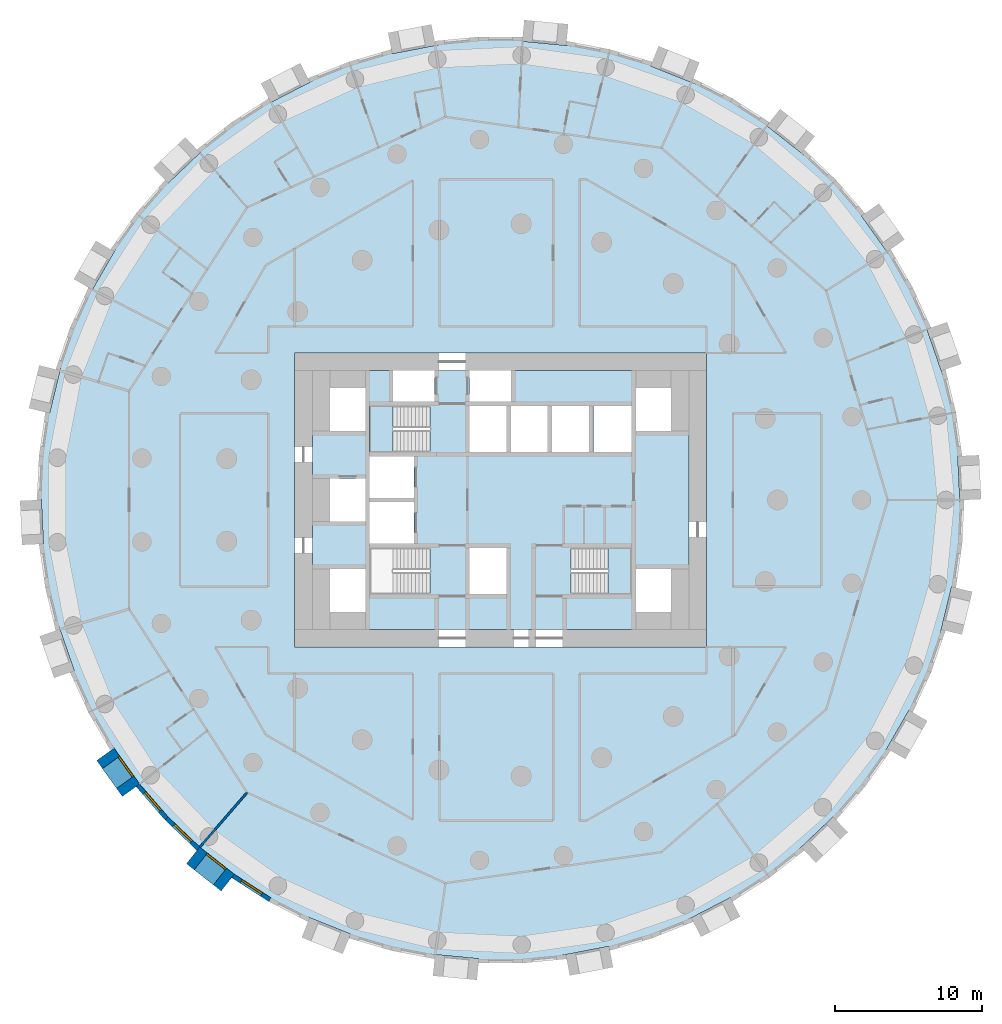
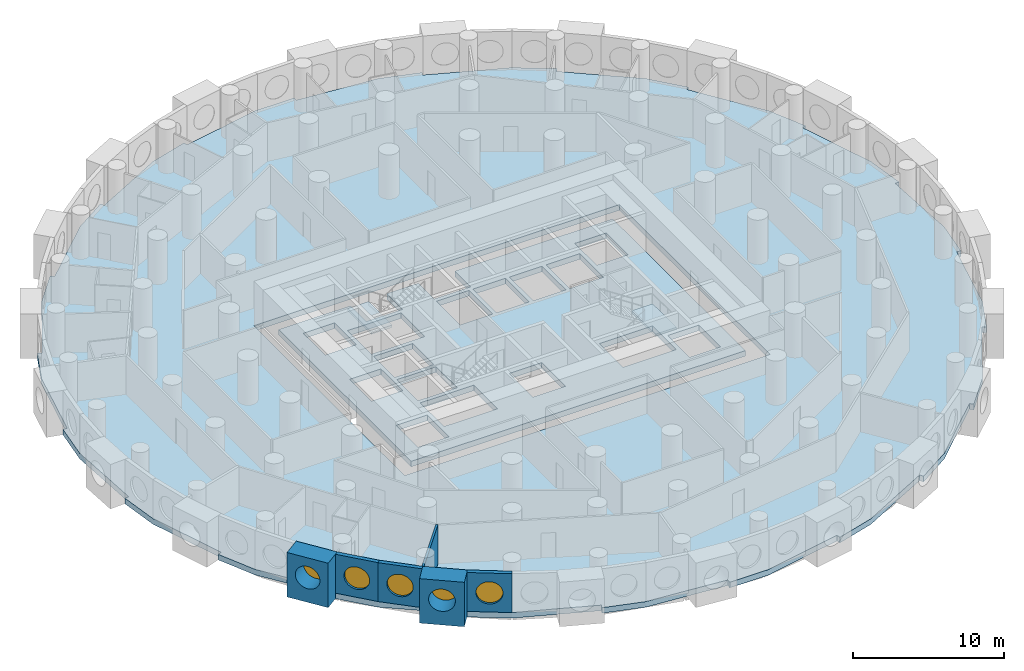
# One storey, part 2 of 12: 6 walls, 5 windows, 4 slabs, 5 openings, 2 elements without a shape of their own.
"""IFC4 building model written with IfcOpenShell, lengths in metres."""

from ifc_helpers import new_model, si_unit, direction, frame, frame_2d, origin, origin_2d, place, context, subcontext, project, spatial, polyline, rectangle, circle, outline, extrude, material, layer, layer_set, type_object, element, fill, aggregate, save


model = new_model("IFC4")

# Units and contexts
model_context = context("Model", 3, precision=1e-05, world=origin(), true_north=direction((0.0, 1.0)))
body_context = subcontext(model_context, "Body", "Model", "MODEL_VIEW")
ifc_project = project(units=[si_unit("LENGTHUNIT", "METRE"), si_unit("AREAUNIT", "SQUARE_METRE"), si_unit("VOLUMEUNIT", "CUBIC_METRE"), si_unit("PLANEANGLEUNIT", "RADIAN"), si_unit("MASSUNIT", "GRAM", prefix="KILO")], contexts=[model_context])

# Site, building, storey
site_placement = place(None, origin())
site = spatial("IfcSite", under=ifc_project, at=site_placement, CompositionType="ELEMENT")
building_placement = place(site_placement, origin())
building = spatial("IfcBuilding", under=site, at=building_placement, Name="Tracery Tower", CompositionType="ELEMENT")
storey_placement = place(building_placement, frame((0.0, 0.0, 89.39990234375)))
storey = spatial("IfcBuildingStorey", under=building, at=storey_placement, Name="L22", CompositionType="ELEMENT", Elevation=89.39990234375)

# Slabs
ifc_material_1 = material(Name="Concrete C60/75", Category="concrete")
ifc_layer_1 = layer(ifc_material_1, 0.449951171875)
ifc_layer_set_1 = layer_set([ifc_layer_1], Name="Core floor slab 450 C60")
slab_type_1 = type_object("IfcSlabType", Name="Core floor slab 450 C60", PredefinedType="FLOOR", material=ifc_layer_set_1)
slab_1_placement = place(storey_placement, frame((0.0, 0.0, -0.449951171875)))
element("IfcSlab", 1, at=slab_1_placement, inside=storey, type_object=slab_type_1, Name="L22 core floor 1", PredefinedType="FLOOR", context=body_context, shape_type="SweptSolid", body=[
    extrude(outline(polyline([(-12.800048828125, 8.800048828125), (-7.300048828125, 8.800048828125), (-7.300048828125, 6.699951171875), (-4.5, 6.699951171875), (-4.5, 8.800048828125), (-2.10009765625, 8.800048828125), (-2.10009765625, 6.699951171875), (0.699951171875, 6.699951171875), (0.699951171875, 8.800048828125), (12.800048828125, 8.800048828125), (12.800048828125, -8.800048828125), (-12.800048828125, -8.800048828125), (-12.800048828125, 8.800048828125)]), holes=[polyline([(11.60009765625, -7.60009765625), (11.60009765625, -4.699951171875), (9.199951171875, -4.699951171875), (9.199951171875, -7.60009765625), (11.60009765625, -7.60009765625)]), polyline([(11.60009765625, 4.699951171875), (11.60009765625, 7.60009765625), (9.199951171875, 7.60009765625), (9.199951171875, 4.699951171875), (11.60009765625, 4.699951171875)]), polyline([(4.800537109375, -3.25), (4.800537109375, -6.39990234375), (8.89990234375, -6.39990234375), (8.89990234375, -3.25), (4.800537109375, -3.25)]), polyline([(6.300048828125, 3.25), (8.89990234375, 3.25), (8.89990234375, 6.39990234375), (6.300048828125, 6.39990234375), (6.300048828125, 3.25)]), polyline([(3.5, 3.25), (6.0, 3.25), (6.0, 6.39990234375), (3.5, 6.39990234375), (3.5, 3.25)]), polyline([(3.199951171875, 3.25), (3.199951171875, 6.39990234375), (0.699951171875, 6.39990234375), (0.699951171875, 3.25), (3.199951171875, 3.25)]), polyline([(-2.10009765625, 3.25), (0.39990234375, 3.25), (0.39990234375, 6.39990234375), (-2.10009765625, 6.39990234375), (-2.10009765625, 3.25)]), polyline([(0.39990234375, -6.39990234375), (0.39990234375, -3.25), (-2.10009765625, -3.25), (-2.10009765625, -6.39990234375), (0.39990234375, -6.39990234375)]), polyline([(-4.800537109375, -3.25), (-8.89990234375, -3.25), (-8.89990234375, -6.39990234375), (-4.800537109375, -6.39990234375), (-4.800537109375, -3.25)]), polyline([(-4.800537109375, 6.39990234375), (-8.89990234375, 6.39990234375), (-8.89990234375, 3.25), (-4.800537109375, 3.25), (-4.800537109375, 6.39990234375)]), polyline([(-8.89990234375, -2.949951171875), (-5.89990234375, -2.949951171875), (-5.89990234375, -0.14990234375), (-8.89990234375, -0.14990234375), (-8.89990234375, -2.949951171875)]), polyline([(-5.89990234375, 0.14990234375), (-5.89990234375, 2.949951171875), (-8.89990234375, 2.949951171875), (-8.89990234375, 0.14990234375), (-5.89990234375, 0.14990234375)]), polyline([(-11.60009765625, 4.699951171875), (-9.199951171875, 4.699951171875), (-9.199951171875, 7.60009765625), (-11.60009765625, 7.60009765625), (-11.60009765625, 4.699951171875)]), polyline([(-9.199951171875, -7.60009765625), (-9.199951171875, -4.699951171875), (-11.60009765625, -4.699951171875), (-11.60009765625, -7.60009765625), (-9.199951171875, -7.60009765625)]), polyline([(-9.199951171875, -1.449951171875), (-9.199951171875, 1.449951171875), (-11.60009765625, 1.449951171875), (-11.60009765625, -1.449951171875), (-9.199951171875, -1.449951171875)])]), origin(), (0.0, 0.0, 1.0), 0.449951171875),
])
ifc_material_2 = material(Name="Concrete C50/60", Category="concrete")
ifc_layer_2 = layer(ifc_material_2, 0.449951171875)
ifc_layer_set_2 = layer_set([ifc_layer_2], Name="Floor slab 450")
slab_type_2 = type_object("IfcSlabType", Name="Floor slab 450", PredefinedType="FLOOR", material=ifc_layer_set_2)
slab_2_placement = place(storey_placement, frame((0.0, 0.0, -0.449951171875)))
element("IfcSlab", 2, at=slab_2_placement, inside=storey, type_object=slab_type_2, Name="Floor slab L22", PredefinedType="FLOOR", context=body_context, shape_type="SweptSolid", body=[
    extrude(outline(polyline([(29.964111328125, 8.783447265625), (29.964111328125, 8.783447265625), (28.98291015625, 11.618408203125), (29.266357421875, 11.716552734375), (28.020263671875, 14.4453125), (26.27587890625, 16.869384765625), (26.27587890625, 16.869384765625), (26.27001953125, 16.877685546875), (26.267578125, 16.881103515625), (24.81201171875, 18.9248046875), (24.53564453125, 19.313232421875), (24.780029296875, 19.4873046875), (22.8154296875, 21.75439453125), (20.458740234375, 23.5888671875), (20.458740234375, 23.5888671875), (20.4541015625, 23.592529296875), (20.447509765625, 23.59765625), (18.11181640625, 25.4345703125), (18.11181640625, 25.4345703125), (18.1005859375, 25.443359375), (18.2861328125, 25.67919921875), (15.76220703125, 27.301025390625), (12.984375, 28.397216796875), (12.984375, 28.397216796875), (10.19921875, 29.51220703125), (10.310791015625, 29.790771484375), (7.43212890625, 30.635986328125), (4.4580078125, 30.905029296875), (4.4580078125, 30.905029296875), (4.45166015625, 30.90576171875), (4.443603515625, 30.906494140625), (1.859375, 31.1533203125), (1.471435546875, 31.190185546875), (1.5, 31.489013671875), (1.5, 31.489013671875), (-1.5, 31.489013671875), (-4.4296875, 30.9091796875), (-4.4296875, 30.9091796875), (-4.4365234375, 30.90771484375), (-4.443603515625, 30.906494140625), (-7.114501953125, 30.3916015625), (-7.37548828125, 30.34130859375), (-7.43212890625, 30.635986328125), (-10.310791015625, 29.790771484375), (-12.95849609375, 28.4091796875), (-12.958251953125, 28.4091796875), (-13.0693359375, 28.351806640625), (-15.612060546875, 27.041015625), (-15.612060546875, 27.041015625), (-15.624755859375, 27.034423828125), (-15.76220703125, 27.301025390625), (-15.76220703125, 27.301025390625), (-18.2861328125, 25.67919921875), (-20.437255859375, 23.607666015625), (-20.437255859375, 23.607666015625), (-20.441162109375, 23.603759765625), (-20.447509765625, 23.59765625), (-21.854736328125, 22.256103515625), (-22.6083984375, 21.537353515625), (-22.8154296875, 21.75439453125), (-24.780029296875, 19.4873046875), (-26.260498046875, 16.8935546875), (-26.260498046875, 16.8935546875), (-26.265380859375, 16.884765625), (-26.267578125, 16.881103515625), (-27.753173828125, 14.307861328125), (-27.753173828125, 14.307861328125), (-27.760498046875, 14.29541015625), (-28.02001953125, 14.4453125), (-28.020263671875, 14.4453125), (-29.266357421875, 11.716552734375), (-29.956298828125, 8.810791015625), (-29.9560546875, 8.810791015625), (-30.6015625, 6.150390625), (-30.659912109375, 5.9091796875), (-30.659912109375, 5.9091796875), (-30.663330078125, 5.895263671875), (-30.954833984375, 5.966064453125), (-31.3818359375, 2.99658203125), (-31.22509765625, 0.014404296875), (-31.224853515625, 0.014404296875), (-31.082275390625, -2.982421875), (-31.3818359375, -2.99658203125), (-30.954833984375, -5.966064453125), (-29.964111328125, -8.783447265625), (-29.964111328125, -8.783447265625), (-28.98291015625, -11.618408203125), (-29.266357421875, -11.716552734375), (-28.020263671875, -14.4453125), (-26.27587890625, -16.869384765625), (-26.27587890625, -16.869384765625), (-26.27001953125, -16.877685546875), (-26.267578125, -16.881103515625), (-24.81201171875, -18.9248046875), (-24.53564453125, -19.313232421875), (-24.780029296875, -19.4873046875), (-22.8154296875, -21.75439453125), (-20.458740234375, -23.5888671875), (-20.458740234375, -23.5888671875), (-20.4541015625, -23.592529296875), (-20.447509765625, -23.59765625), (-18.11181640625, -25.4345703125), (-18.11181640625, -25.4345703125), (-18.1005859375, -25.443359375), (-18.2861328125, -25.67919921875), (-15.76220703125, -27.301025390625), (-12.984375, -28.397216796875), (-12.984375, -28.397216796875), (-10.19921875, -29.51220703125), (-10.310791015625, -29.790771484375), (-7.43212890625, -30.635986328125), (-4.4580078125, -30.905029296875), (-4.4580078125, -30.905029296875), (-4.45166015625, -30.90576171875), (-4.443603515625, -30.906494140625), (-1.859375, -31.1533203125), (-1.471435546875, -31.190185546875), (-1.5, -31.489013671875), (-1.5, -31.489013671875), (1.5, -31.489013671875), (4.4296875, -30.9091796875), (4.4296875, -30.9091796875), (4.4365234375, -30.90771484375), (4.443603515625, -30.906494140625), (7.114501953125, -30.3916015625), (7.37548828125, -30.34130859375), (7.43212890625, -30.635986328125), (10.310791015625, -29.790771484375), (12.95849609375, -28.4091796875), (12.958251953125, -28.4091796875), (13.0693359375, -28.351806640625), (15.612060546875, -27.041015625), (15.612060546875, -27.041015625), (15.624755859375, -27.034423828125), (15.76220703125, -27.301025390625), (15.76220703125, -27.301025390625), (18.2861328125, -25.67919921875), (20.437255859375, -23.607666015625), (20.437255859375, -23.607666015625), (20.441162109375, -23.603759765625), (20.447509765625, -23.59765625), (21.854736328125, -22.256103515625), (22.6083984375, -21.537353515625), (22.8154296875, -21.75439453125), (24.780029296875, -19.4873046875), (26.260498046875, -16.8935546875), (26.260498046875, -16.8935546875), (26.265380859375, -16.884765625), (26.267578125, -16.881103515625), (27.753173828125, -14.307861328125), (27.753173828125, -14.307861328125), (27.760498046875, -14.29541015625), (28.02001953125, -14.4453125), (28.020263671875, -14.4453125), (29.266357421875, -11.716552734375), (29.956298828125, -8.810791015625), (29.9560546875, -8.810791015625), (30.6015625, -6.150390625), (30.659912109375, -5.9091796875), (30.659912109375, -5.9091796875), (30.663330078125, -5.895263671875), (30.954833984375, -5.966064453125), (31.3818359375, -2.99658203125), (31.22509765625, -0.014404296875), (31.224853515625, -0.014404296875), (31.082275390625, 2.982421875), (31.3818359375, 2.99658203125), (30.954833984375, 5.966064453125), (29.964111328125, 8.783447265625)]), holes=[polyline([(-14.0, -10.0), (14.0, -10.0), (14.0, 10.0), (-14.0, 10.0), (-14.0, -10.0)])]), origin(), (0.0, 0.0, 1.0), 0.449951171875),
])

# Stair, slab
ifc_material_3 = material(Name="Concrete C32/40", Category="concrete")
stair_type = type_object("IfcStairType", Name="Core stair 22 risers", PredefinedType="HALF_TURN_STAIR", material=ifc_material_3)
stair_1_placement = place(storey_placement, origin())
stair_1 = element("IfcStair", 3, at=stair_1_placement, inside=storey, type_object=stair_type, Name="L22 stair ST3", PredefinedType="HALF_TURN_STAIR")
ifc_material_4 = material(Name="Concrete C32/40", Category="concrete")
ifc_layer_3 = layer(ifc_material_4, 0.199951171875)
ifc_layer_set_3 = layer_set([ifc_layer_3], Name="Stair landing slab 200")
slab_type_3 = type_object("IfcSlabType", Name="Stair landing slab 200", PredefinedType="LANDING", material=ifc_layer_set_3)
slab_3_placement = place(storey_placement, frame((0.0, 0.0, 1.60009765625)))
slab_3 = element("IfcSlab", 4, at=slab_3_placement, type_object=slab_type_3, Name="ST3 landing 1", PredefinedType="LANDING", context=body_context, shape_type="SweptSolid", body=[
    extrude(outline(polyline([(-7.29931640625, 6.39990234375), (-8.89990234375, 6.39990234375), (-8.89990234375, 3.25), (-7.29931640625, 3.25), (-7.29931640625, 6.39990234375)])), origin(), (0.0, 0.0, 1.0), 0.199951171875),
])
aggregate(stair_1, [slab_3])

stair_2_placement = place(storey_placement, origin())
stair_2 = element("IfcStair", 5, at=stair_2_placement, inside=storey, type_object=stair_type, Name="L22 stair ST2", PredefinedType="HALF_TURN_STAIR")
slab_4_placement = place(storey_placement, frame((0.0, 0.0, 1.60009765625)))
slab_4 = element("IfcSlab", 6, at=slab_4_placement, type_object=slab_type_3, Name="ST2 landing 1", PredefinedType="LANDING", context=body_context, shape_type="SweptSolid", body=[
    extrude(outline(polyline([(7.29931640625, -6.39990234375), (8.89990234375, -6.39990234375), (8.89990234375, -3.25), (7.29931640625, -3.25), (7.29931640625, -6.39990234375)])), origin(), (0.0, 0.0, 1.0), 0.199951171875),
])
aggregate(stair_2, [slab_4])

# Wall, opening, window
ifc_material_5 = material(Name="Precast concrete C50/60", Category="concrete")
ifc_layer_4 = layer(ifc_material_5, 1.449951171875)
ifc_layer_set_4 = layer_set([ifc_layer_4], Name="Deep-set bay unit 3000 x 3600, slab edge 450")
wall_type_1 = type_object("IfcWallType", Name="Deep-set bay unit 3000 x 3600, slab edge 450", PredefinedType="ELEMENTEDWALL", material=ifc_layer_set_4)
wall_1_placement = place(storey_placement, frame((-26.866455078125, -17.2900390625, -0.449951171875), z_axis=(0.0, 0.0, 1.0), x_axis=(0.580090570606, -0.814551981088, 0.0)))
wall_1 = element("IfcWall", 7, at=wall_1_placement, inside=storey, type_object=wall_type_1, Name="Deep-set bay unit 40 at L22", PredefinedType="ELEMENTEDWALL", context=body_context, shape_type="SweptSolid", body=[
    extrude(rectangle(XDim=3.0, YDim=1.449951171875, at=frame_2d((1.5, 0.0))), origin(), (0.0, 0.0, 1.0), 3.60009765625),
])
opening_1_placement = place(wall_1_placement, frame((1.5, 0.0, 2.0)))
opening_1 = element("IfcOpeningElement", 8, at=opening_1_placement, cuts=wall_1, Name="Opening WN1", PredefinedType="OPENING", context=body_context, shape_type="SweptSolid", body=[
    extrude(circle(Radius=0.9000244140625, at=origin_2d()), frame((0.0, 0.73486328125, 0.0), z_axis=(0.0, -1.0, 0.0), x_axis=(1.0, 0.0, 0.0)), (0.0, 0.0, 1.0), 1.469970703125),
])
ifc_material_6 = material(Name="Aluminium frame with tinted double glazing", Category="aluminium")
window_type = type_object("IfcWindowType", Name="Round window 1800", PartitioningType="SINGLE_PANEL", PredefinedType="WINDOW", material=ifc_material_6)
window_1_placement = place(opening_1_placement, origin())
window_1 = element("IfcWindow", 9, at=window_1_placement, inside=storey, type_object=window_type, Name="Round window 40 at L22", OverallHeight=1.800048828125, OverallWidth=1.800048828125, PartitioningType="SINGLE_PANEL", PredefinedType="WINDOW", context=body_context, shape_type="SweptSolid", body=[
    extrude(circle(Radius=0.9000244140625, at=origin_2d()), frame((0.0, 0.69482421875, 0.0), z_axis=(0.0, -1.0, 0.0), x_axis=(1.0, 0.0, 0.0)), (0.0, 0.0, 1.0), 0.10009765625),
])
fill(opening_1, window_1)

wall_2_placement = place(storey_placement, frame((-20.906982421875, -24.15869140625, -0.449951171875), z_axis=(0.0, 0.0, 1.0), x_axis=(0.786049992888, -0.618162930529, 0.0)))
wall_2 = element("IfcWall", 10, at=wall_2_placement, inside=storey, type_object=wall_type_1, Name="Deep-set bay unit 43 at L22", PredefinedType="ELEMENTEDWALL", context=body_context, shape_type="SweptSolid", body=[
    extrude(rectangle(XDim=3.0, YDim=1.449951171875, at=frame_2d((1.5, 0.0))), origin(), (0.0, 0.0, 1.0), 3.60009765625),
])
opening_2_placement = place(wall_2_placement, frame((1.5, 0.0, 2.0)))
opening_2 = element("IfcOpeningElement", 11, at=opening_2_placement, cuts=wall_2, Name="Opening WN1", PredefinedType="OPENING", context=body_context, shape_type="SweptSolid", body=[
    extrude(circle(Radius=0.9000244140625, at=origin_2d()), frame((0.0, 0.73486328125, 0.0), z_axis=(0.0, -1.0, 0.0), x_axis=(1.0, 0.0, 0.0)), (0.0, 0.0, 1.0), 1.469970703125),
])
window_2_placement = place(opening_2_placement, origin())
window_2 = element("IfcWindow", 12, at=window_2_placement, inside=storey, type_object=window_type, Name="Round window 43 at L22", OverallHeight=1.800048828125, OverallWidth=1.800048828125, PartitioningType="SINGLE_PANEL", PredefinedType="WINDOW", context=body_context, shape_type="SweptSolid", body=[
    extrude(circle(Radius=0.9000244140625, at=origin_2d()), frame((0.0, 0.69482421875, 0.0), z_axis=(0.0, -1.0, 0.0), x_axis=(1.0, 0.0, 0.0)), (0.0, 0.0, 1.0), 0.10009765625),
])
fill(opening_2, window_2)

ifc_material_7 = material(Name="Precast concrete C50/60", Category="concrete")
ifc_layer_5 = layer(ifc_material_7, 0.300048828125)
ifc_layer_set_5 = layer_set([ifc_layer_5], Name="Facade panel 3000 x 3150")
wall_type_2 = type_object("IfcWallType", Name="Facade panel 3000 x 3150", PredefinedType="SOLIDWALL", material=ifc_layer_set_5)
wall_3_placement = place(storey_placement, frame((-24.657958984375, -19.39892578125, 0.0), z_axis=(0.0, 0.0, 1.0), x_axis=(0.654830712471, -0.755775587066, 0.0)))
wall_3 = element("IfcWall", 13, at=wall_3_placement, inside=storey, type_object=wall_type_2, Name="Facade panel 41 at L22", PredefinedType="SOLIDWALL", context=body_context, shape_type="SweptSolid", body=[
    extrude(rectangle(XDim=2.979736328125, YDim=0.300048828125, at=frame_2d((1.48974609375, 0.0))), origin(), (0.0, 0.0, 1.0), 3.150146484375),
])
opening_3_placement = place(wall_3_placement, frame((1.48974609375, 0.0, 1.5498046875)))
opening_3 = element("IfcOpeningElement", 14, at=opening_3_placement, cuts=wall_3, Name="Opening WN1", PredefinedType="OPENING", context=body_context, shape_type="SweptSolid", body=[
    extrude(circle(Radius=0.9000244140625, at=origin_2d()), frame((0.0, 0.159912109375, 0.0), z_axis=(0.0, -1.0, 0.0), x_axis=(1.0, 0.0, 0.0)), (0.0, 0.0, 1.0), 0.320068359375),
])
window_3_placement = place(opening_3_placement, origin())
window_3 = element("IfcWindow", 15, at=window_3_placement, inside=storey, type_object=window_type, Name="Round window 41 at L22", OverallHeight=1.800048828125, OverallWidth=1.800048828125, PartitioningType="SINGLE_PANEL", PredefinedType="WINDOW", context=body_context, shape_type="SweptSolid", body=[
    extrude(circle(Radius=0.9000244140625, at=origin_2d()), frame((0.0, 0.1201171875, 0.0), z_axis=(0.0, -1.0, 0.0), x_axis=(1.0, 0.0, 0.0)), (0.0, 0.0, 1.0), 0.10009765625),
])
fill(opening_3, window_3)

wall_4_placement = place(storey_placement, frame((-22.706787109375, -21.65087890625, 0.0), z_axis=(0.0, 0.0, 1.0), x_axis=(0.723744206617, -0.690068346896, 0.0)))
wall_4 = element("IfcWall", 16, at=wall_4_placement, inside=storey, type_object=wall_type_2, Name="Facade panel 42 at L22", PredefinedType="SOLIDWALL", context=body_context, shape_type="SweptSolid", body=[
    extrude(rectangle(XDim=2.979736328125, YDim=0.300048828125, at=frame_2d((1.48974609375, 0.0))), origin(), (0.0, 0.0, 1.0), 3.150146484375),
])
opening_4_placement = place(wall_4_placement, frame((1.48974609375, 0.0, 1.5498046875)))
opening_4 = element("IfcOpeningElement", 17, at=opening_4_placement, cuts=wall_4, Name="Opening WN1", PredefinedType="OPENING", context=body_context, shape_type="SweptSolid", body=[
    extrude(circle(Radius=0.9000244140625, at=origin_2d()), frame((0.0, 0.159912109375, 0.0), z_axis=(0.0, -1.0, 0.0), x_axis=(1.0, 0.0, 0.0)), (0.0, 0.0, 1.0), 0.320068359375),
])
window_4_placement = place(opening_4_placement, origin())
window_4 = element("IfcWindow", 18, at=window_4_placement, inside=storey, type_object=window_type, Name="Round window 42 at L22", OverallHeight=1.800048828125, OverallWidth=1.800048828125, PartitioningType="SINGLE_PANEL", PredefinedType="WINDOW", context=body_context, shape_type="SweptSolid", body=[
    extrude(circle(Radius=0.9000244140625, at=origin_2d()), frame((0.0, 0.1201171875, 0.0), z_axis=(0.0, -1.0, 0.0), x_axis=(1.0, 0.0, 0.0)), (0.0, 0.0, 1.0), 0.10009765625),
])
fill(opening_4, window_4)

wall_5_placement = place(storey_placement, frame((-18.19384765625, -25.56005859375, 0.0), z_axis=(0.0, 0.0, 1.0), x_axis=(0.84122372879, -0.540687190639, 0.0)))
wall_5 = element("IfcWall", 19, at=wall_5_placement, inside=storey, type_object=wall_type_2, Name="Facade panel 44 at L22", PredefinedType="SOLIDWALL", context=body_context, shape_type="SweptSolid", body=[
    extrude(rectangle(XDim=2.979736328125, YDim=0.300048828125, at=frame_2d((1.48974609375, 0.0))), origin(), (0.0, 0.0, 1.0), 3.150146484375),
])
opening_5_placement = place(wall_5_placement, frame((1.48974609375, 0.0, 1.5498046875)))
opening_5 = element("IfcOpeningElement", 20, at=opening_5_placement, cuts=wall_5, Name="Opening WN1", PredefinedType="OPENING", context=body_context, shape_type="SweptSolid", body=[
    extrude(circle(Radius=0.9000244140625, at=origin_2d()), frame((0.0, 0.159912109375, 0.0), z_axis=(0.0, -1.0, 0.0), x_axis=(1.0, 0.0, 0.0)), (0.0, 0.0, 1.0), 0.320068359375),
])
window_5_placement = place(opening_5_placement, origin())
window_5 = element("IfcWindow", 21, at=window_5_placement, inside=storey, type_object=window_type, Name="Round window 44 at L22", OverallHeight=1.800048828125, OverallWidth=1.800048828125, PartitioningType="SINGLE_PANEL", PredefinedType="WINDOW", context=body_context, shape_type="SweptSolid", body=[
    extrude(circle(Radius=0.9000244140625, at=origin_2d()), frame((0.0, 0.1201171875, 0.0), z_axis=(0.0, -1.0, 0.0), x_axis=(1.0, 0.0, 0.0)), (0.0, 0.0, 1.0), 0.10009765625),
])
fill(opening_5, window_5)

# Wall
ifc_material_8 = material(Name="Plasterboard on steel studs", Category="steel")
ifc_layer_6 = layer(ifc_material_8, 0.14990234375)
ifc_layer_set_6 = layer_set([ifc_layer_6], Name="Partition 150 acoustic unit wall")
wall_type_3 = type_object("IfcWallType", Name="Partition 150 acoustic unit wall", PredefinedType="PARTITIONING", material=ifc_layer_set_6)
wall_6_placement = place(storey_placement, frame((-20.447998046875, -23.597900390625, 0.0), z_axis=(0.0, 0.0, 1.0), x_axis=(0.654847179409, 0.755761319214, 0.0)))
element("IfcWall", 22, at=wall_6_placement, inside=storey, type_object=wall_type_3, Name="Unit wall RA6-097", PredefinedType="PARTITIONING", context=body_context, shape_type="SweptSolid", body=[
    extrude(rectangle(XDim=4.90625, YDim=0.14990234375, at=frame_2d((2.453125, 0.0))), origin(), (0.0, 0.0, 1.0), 3.150146484375),
])

save(model, "model.ifc")
